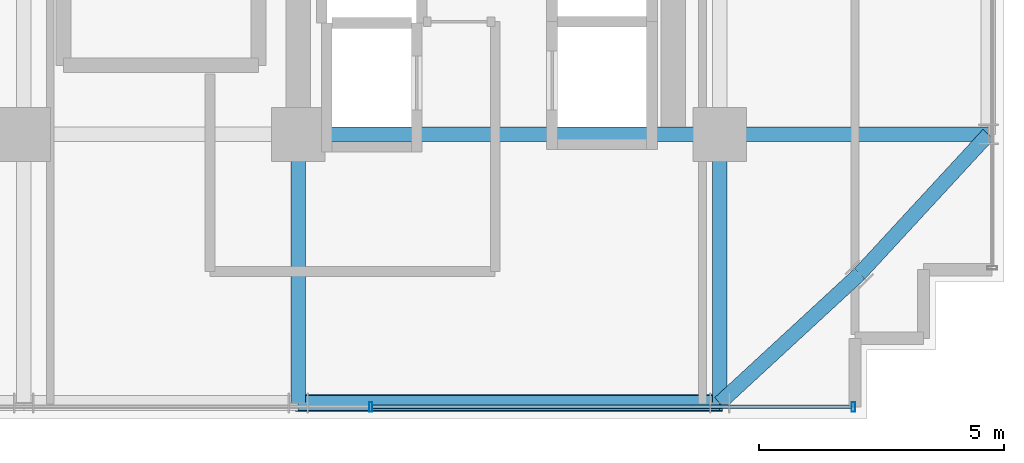
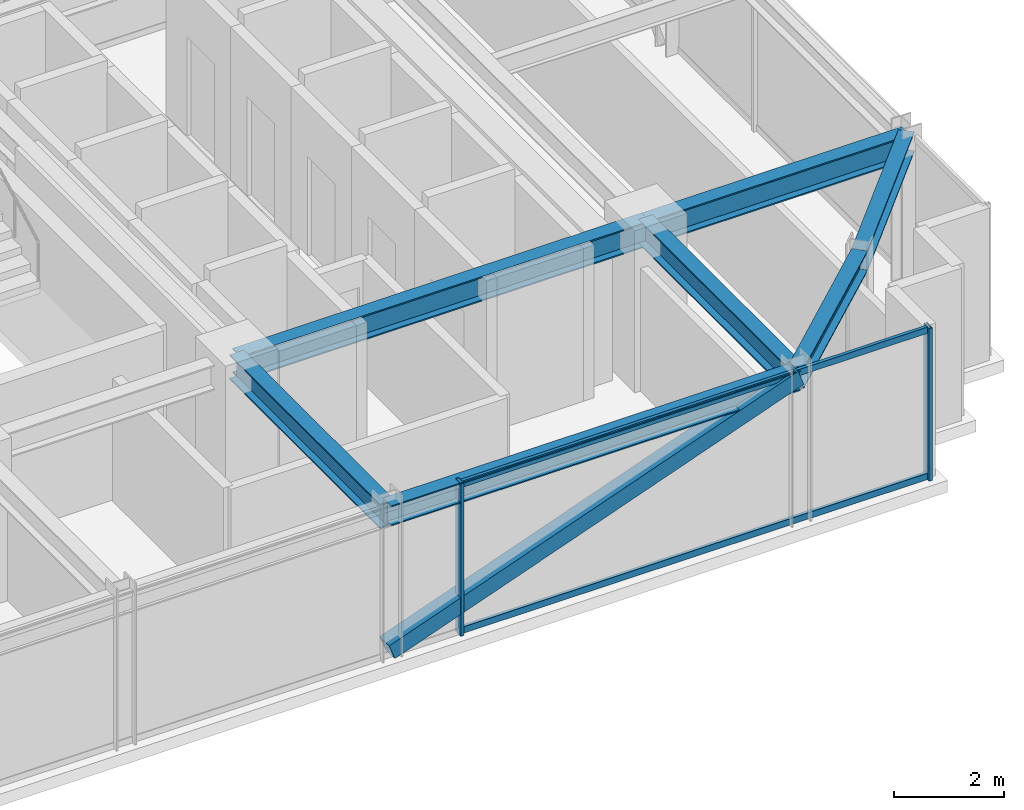
# One storey, part 13 of 37: 7 beams, 5 members, 1 element without a shape of its own.
"""IFC4 building model written with IfcOpenShell, lengths in metres."""

from ifc_helpers import new_model, si_unit, direction, frame, origin, origin_2d, place, context, subcontext, project, spatial, hollow_rectangle, i_section, extrude, source, transform, mapped, material, material_profile, profile_set, type_object, element, aggregate, save


model = new_model("IFC4")

# Units and contexts
model_context = context("Model", 3, precision=1e-05, world=origin(), true_north=direction((0.0, 1.0)))
body_context = subcontext(model_context, "Body", "Model", "MODEL_VIEW")
ifc_project = project(units=[si_unit("LENGTHUNIT", "METRE"), si_unit("AREAUNIT", "SQUARE_METRE"), si_unit("VOLUMEUNIT", "CUBIC_METRE"), si_unit("PLANEANGLEUNIT", "RADIAN"), si_unit("MASSUNIT", "GRAM", prefix="KILO")], contexts=[model_context])

# Site, building, storey
site_placement = place(None, origin())
site = spatial("IfcSite", under=ifc_project, at=site_placement, CompositionType="ELEMENT")
building_placement = place(site_placement, origin())
building = spatial("IfcBuilding", under=site, at=building_placement, Name="Nahalor Promenade Grand Hotel", CompositionType="ELEMENT")
storey_placement = place(building_placement, frame((0.0, 0.0, 167.25)))
storey = spatial("IfcBuildingStorey", under=building, at=storey_placement, Name="L42", CompositionType="ELEMENT", Elevation=167.25)

# Beams
ifc_material_1 = material(Name="Steel S355JR", Category="steel")
ifc_material_profile_1 = material_profile(ifc_material_1, i_section(OverallWidth=0.3, OverallDepth=0.55, WebThickness=0.015, FlangeThickness=0.029, at=origin_2d()), Name="HEB 550")
ifc_profile_set_1 = profile_set([ifc_material_profile_1], Name="Steel S355JR")
beam_type_1 = type_object("IfcBeamType", Name="Beam-Girder-HEB550", PredefinedType="BEAM", material=ifc_profile_set_1)
shared_shape_1 = source(origin(), body_context, "Body", "SweptSolid", [
    extrude(i_section(OverallWidth=0.3, OverallDepth=0.55, WebThickness=0.015, FlangeThickness=0.029, at=origin_2d()), origin(), (0.0, 0.0, 1.0), 8.60009765625),
])
beam_1_placement = place(storey_placement, frame((8.39990234375, -17.0, 3.114990234375), z_axis=(1.0, 0.0, 0.0), x_axis=(0.0, 1.0, 0.0)))
element("IfcBeam", 1, at=beam_1_placement, inside=storey, type_object=beam_type_1, Name="BM-L42-GX-0-5", PredefinedType="BEAM", context=body_context, shape_type="MappedRepresentation", body=[
    mapped(shared_shape_1, transform((0.0, 0.0, 0.0), scale=1.0)),
])
shared_shape_2 = source(origin(), body_context, "Body", "SweptSolid", [
    extrude(i_section(OverallWidth=0.3, OverallDepth=0.55, WebThickness=0.015, FlangeThickness=0.029, at=origin_2d()), origin(), (0.0, 0.0, 1.0), 5.47998046875),
])
for number, where, z_axis, x_axis, name in (
    (2, (17.0, -17.0, 3.114990234375), (1.0, 0.0, 0.0), (0.0, 1.0, 0.0), "BM-L42-GX-0-6"),
    (3, (8.39990234375, -22.47998046875, 3.114990234375), (0.0, 1.0, 0.0), (-1.0, 0.0, 0.0), "BM-L42-GY-4-0"),
    (4, (17.0, -22.47998046875, 3.114990234375), (0.0, 1.0, 0.0), (-1.0, 0.0, 0.0), "BM-L42-GY-5-0"),
):
    element("IfcBeam", number, at=place(storey_placement, frame(where, z_axis=z_axis, x_axis=x_axis)), inside=storey, type_object=beam_type_1, Name=name, PredefinedType="BEAM", context=body_context, shape_type="MappedRepresentation", body=[
        mapped(shared_shape_2, transform((0.0, 0.0, 0.0), scale=1.0)),
    ])
ifc_material_profile_2 = material_profile(ifc_material_1, i_section(OverallWidth=0.3, OverallDepth=0.45, WebThickness=0.014, FlangeThickness=0.026, at=origin_2d()), Name="HEB 450")
ifc_profile_set_2 = profile_set([ifc_material_profile_2], Name="Steel S355JR")
beam_type_2 = type_object("IfcBeamType", Name="Beam-Spandrel-HEB450", PredefinedType="SPANDREL", material=ifc_profile_set_2)
shared_shape_3 = source(origin(), body_context, "Body", "SweptSolid", [
    extrude(i_section(OverallWidth=0.3, OverallDepth=0.45, WebThickness=0.014, FlangeThickness=0.026, at=origin_2d()), origin(), (0.0, 0.0, 1.0), 8.60009765625),
])
beam_2_placement = place(storey_placement, frame((8.39990234375, -22.47998046875, 3.1650390625), z_axis=(1.0, 0.0, 0.0), x_axis=(0.0, 1.0, 0.0)))
element("IfcBeam", 5, at=beam_2_placement, inside=storey, type_object=beam_type_2, Name="BM-L42-SP-S-4", PredefinedType="SPANDREL", context=body_context, shape_type="MappedRepresentation", body=[
    mapped(shared_shape_3, transform((0.0, 0.0, 0.0), scale=1.0)),
])
shared_shape_4 = source(origin(), body_context, "Body", "SweptSolid", [
    extrude(i_section(OverallWidth=0.3, OverallDepth=0.45, WebThickness=0.014, FlangeThickness=0.026, at=origin_2d()), origin(), (0.0, 0.0, 1.0), 3.878173828125),
])
for number, where, z_axis, x_axis, name in (
    (6, (17.0, -22.47998046875, 3.1650390625), (0.73492893846, 0.678144125843, 0.0), (-0.678144125843, 0.73492893846, 0.0), "BM-L42-SPC-SE-1"),
    (7, (19.85009765625, -19.85009765625, 3.1650390625), (0.678144125843, 0.73492893846, 0.0), (-0.73492893846, 0.678144125843, 0.0), "BM-L42-SPC-SE-2"),
):
    element("IfcBeam", number, at=place(storey_placement, frame(where, z_axis=z_axis, x_axis=x_axis)), inside=storey, type_object=beam_type_2, Name=name, PredefinedType="SPANDREL", context=body_context, shape_type="MappedRepresentation", body=[
        mapped(shared_shape_4, transform((0.0, 0.0, 0.0), scale=1.0)),
    ])

# Member
ifc_material_profile_3 = material_profile(ifc_material_1, hollow_rectangle(XDim=0.35, YDim=0.35, WallThickness=0.02, at=origin_2d()), Name="SHS 350x350x20")
ifc_profile_set_3 = profile_set([ifc_material_profile_3], Name="Steel S355JR")
member_type_1 = type_object("IfcMemberType", Name="Mem-VoidBrace-SHS350", PredefinedType="BRACE", material=ifc_profile_set_3)
shared_shape_5 = source(origin(), body_context, "Body", "SweptSolid", [
    extrude(hollow_rectangle(XDim=0.35, YDim=0.35, WallThickness=0.02, at=origin_2d()), origin(), (0.0, 0.0, 1.0), 9.138427734375),
])
member_1_placement = place(storey_placement, frame((8.39990234375, -22.47998046875, 0.14990234375), z_axis=(0.941094643271, 0.0, 0.338143272012), x_axis=(0.0, 1.0, 0.0)))
element("IfcMember", 8, at=member_1_placement, inside=storey, type_object=member_type_1, Name="EXO-L42-S-1", PredefinedType="BRACE", context=body_context, shape_type="MappedRepresentation", body=[
    mapped(shared_shape_5, transform((0.0, 0.0, 0.0), scale=1.0)),
])

# Curtain wall, members
ifc_material_2 = material(Name="Anodised Bronze Aluminium EN AW-6063 T6", Category="aluminium")
curtain_wall_type = type_object("IfcCurtainWallType", Name="CW3 Elliptical-Void Collar Unitised Curtain Wall", PredefinedType="USERDEFINED", material=ifc_material_2)
curtain_wall_placement = place(storey_placement, origin())
curtain_wall = element("IfcCurtainWall", 9, at=curtain_wall_placement, inside=storey, type_object=curtain_wall_type, Name="L42 Curtain Wall CW-L42-S-1", ObjectType="UNITISED_CURTAIN_WALL", PredefinedType="USERDEFINED")
ifc_material_profile_4 = material_profile(ifc_material_2, hollow_rectangle(XDim=0.07, YDim=0.14, WallThickness=0.004, at=origin_2d()), Name="CWT 70x140x4")
ifc_profile_set_4 = profile_set([ifc_material_profile_4], Name="Anodised Bronze Aluminium EN AW-6063 T6")
member_type_2 = type_object("IfcMemberType", Name="CWT3 Void Collar Transom 70x140", PredefinedType="USERDEFINED", material=ifc_profile_set_4)
shared_shape_6 = source(origin(), body_context, "Body", "SweptSolid", [
    extrude(hollow_rectangle(XDim=0.07, YDim=0.14, WallThickness=0.004, at=origin_2d()), origin(), (0.0, 0.0, 1.0), 9.77490234375),
])
member_2_placement = place(storey_placement, frame((9.9150390625, -22.56005859375, 0.070068359375), z_axis=(1.0, 0.0, 0.0), x_axis=(0.0, 1.0, 0.0)))
member_2 = element("IfcMember", 10, at=member_2_placement, type_object=member_type_2, Name="CW-L42-S-1 Transom 3-0", ObjectType="TRANSOM", PredefinedType="USERDEFINED", context=body_context, shape_type="MappedRepresentation", body=[
    mapped(shared_shape_6, transform((0.0, 0.0, 0.0), scale=1.0)),
])
member_3_placement = place(storey_placement, frame((9.9150390625, -22.56005859375, 3.320068359375), z_axis=(1.0, 0.0, 0.0), x_axis=(0.0, 1.0, 0.0)))
member_3 = element("IfcMember", 11, at=member_3_placement, type_object=member_type_2, Name="CW-L42-S-1 Transom 3-1", ObjectType="TRANSOM", PredefinedType="USERDEFINED", context=body_context, shape_type="MappedRepresentation", body=[
    mapped(shared_shape_6, transform((0.0, 0.0, 0.0), scale=1.0)),
])
ifc_material_profile_5 = material_profile(ifc_material_2, hollow_rectangle(XDim=0.07, YDim=0.2, WallThickness=0.005, at=origin_2d()), Name="CWM 70x200x5")
ifc_profile_set_5 = profile_set([ifc_material_profile_5], Name="Anodised Bronze Aluminium EN AW-6063 T6")
member_type_3 = type_object("IfcMemberType", Name="CWM3 Void Collar Mullion 70x200", PredefinedType="MULLION", material=ifc_profile_set_5)
shared_shape_7 = source(origin(), body_context, "Body", "SweptSolid", [
    extrude(hollow_rectangle(XDim=0.07, YDim=0.2, WallThickness=0.005, at=origin_2d()), origin(), (0.0, 0.0, 1.0), 3.389892578125),
])
member_4_placement = place(storey_placement, frame((9.8798828125, -22.56005859375, 0.0), z_axis=(0.0, 0.0, 1.0), x_axis=(1.0, 0.0, 0.0)))
member_4 = element("IfcMember", 12, at=member_4_placement, type_object=member_type_3, Name="CW-L42-S-1 Mullion 3", PredefinedType="MULLION", context=body_context, shape_type="MappedRepresentation", body=[
    mapped(shared_shape_7, transform((0.0, 0.0, 0.0), scale=1.0)),
])
member_5_placement = place(storey_placement, frame((19.72509765625, -22.56005859375, 0.0), z_axis=(0.0, 0.0, 1.0), x_axis=(1.0, 0.0, 0.0)))
member_5 = element("IfcMember", 13, at=member_5_placement, type_object=member_type_3, Name="CW-L42-S-1 Mullion 4", PredefinedType="MULLION", context=body_context, shape_type="MappedRepresentation", body=[
    mapped(shared_shape_7, transform((0.0, 0.0, 0.0), scale=1.0)),
])
aggregate(curtain_wall, [member_4, member_5, member_2, member_3])

save(model, "model.ifc")
